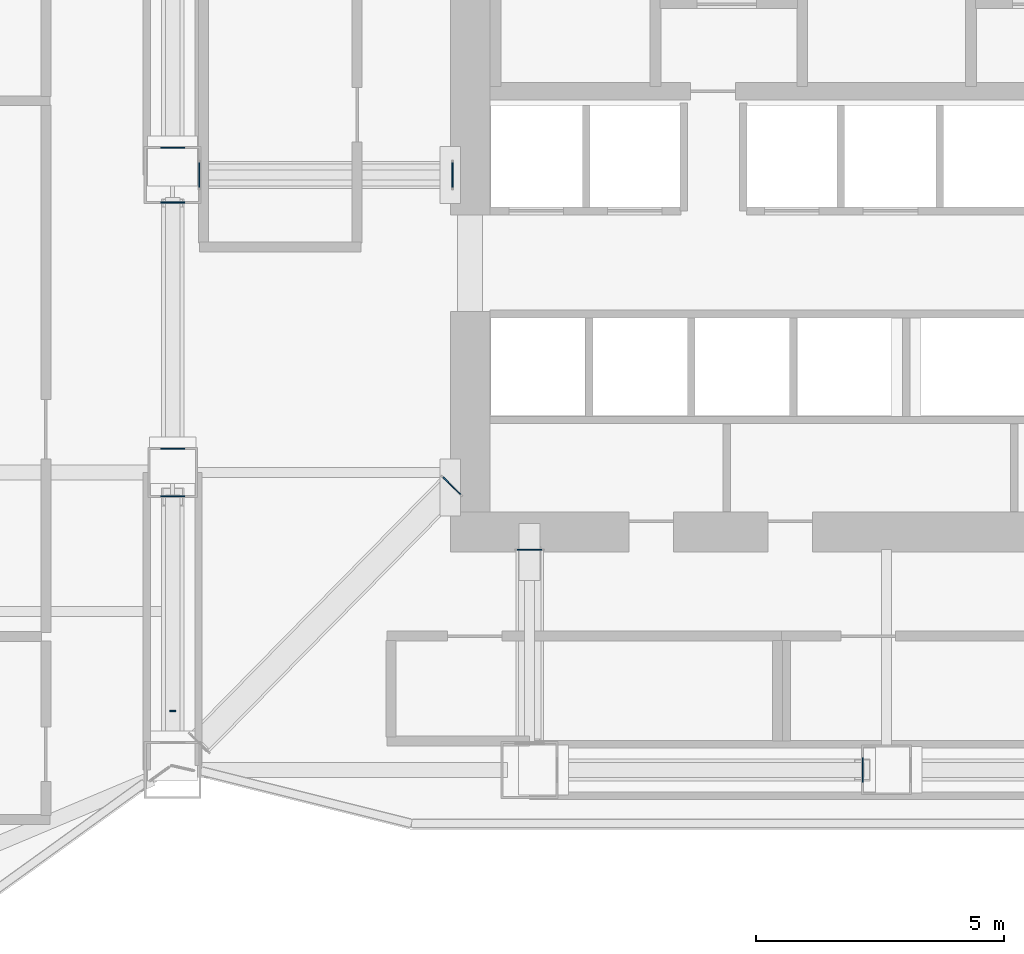
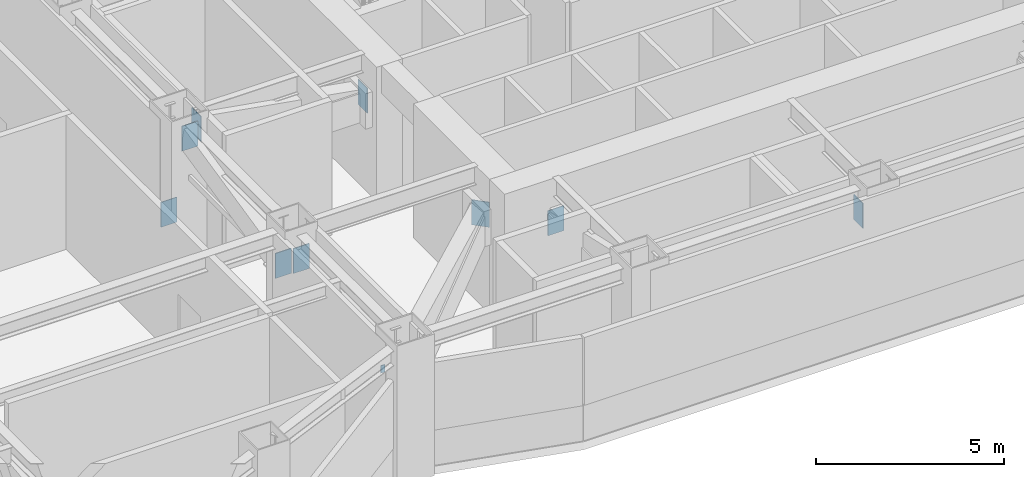
# One storey, part 8 of 23: 10 plates.
"""IFC4 building model written with IfcOpenShell, lengths in metres."""

from ifc_helpers import new_model, si_unit, direction, frame, origin, origin_2d, place, context, subcontext, project, spatial, rectangle, extrude, material, layer, layer_set, type_object, element, save


model = new_model("IFC4")

# Units and contexts
model_context = context("Model", 3, precision=1e-05, world=origin(), true_north=direction((0.0, 1.0)))
body_context = subcontext(model_context, "Body", "Model", "MODEL_VIEW")
ifc_project = project(units=[si_unit("LENGTHUNIT", "METRE"), si_unit("AREAUNIT", "SQUARE_METRE"), si_unit("VOLUMEUNIT", "CUBIC_METRE"), si_unit("PLANEANGLEUNIT", "RADIAN"), si_unit("MASSUNIT", "GRAM", prefix="KILO")], contexts=[model_context])

# Site, building, storey
site_placement = place(None, origin())
site = spatial("IfcSite", under=ifc_project, at=site_placement, CompositionType="ELEMENT")
building_placement = place(site_placement, origin())
building = spatial("IfcBuilding", under=site, at=building_placement, Name="Haolan Belvedere Tower", CompositionType="ELEMENT")
storey_placement = place(building_placement, frame((0.0, 0.0, 89.39990234375)))
storey = spatial("IfcBuildingStorey", under=building, at=storey_placement, Name="L22", CompositionType="ELEMENT", Elevation=89.39990234375)

# Plates
ifc_material = material(Name="Steel Q355B", Category="steel")
ifc_layer = layer(ifc_material, 0.02490234375, Name="Steel Q355B")
ifc_layer_set = layer_set([ifc_layer], Name="Steel Q355B")
plate_type = type_object("IfcPlateType", Name="PL-CAP-25", PredefinedType="SHEET", material=ifc_layer_set)
for number, where, z_axis, x_axis, name in (
    (1, (29.642333984375, 33.60009765625, 2.512939453125), (0.0, 0.0, 1.0), (0.0, 1.0, 0.0), "Hollow steel end-cap plate OR-W1-L22-DG-CAP0"),
    (2, (24.53271484375, 33.60009765625, 3.38720703125), (0.0, 0.0, 1.0), (0.0, -1.0, 0.0), "Hollow steel end-cap plate OR-W1-L22-DG-CAP1"),
    (3, (29.629638671875, 27.330322265625, 2.513671875), (0.0, 0.0, 1.0), (-0.713336076052, 0.700822119088, 0.0), "Hollow steel end-cap plate OR-W2-L22-DG-CAP0"),
    (4, (31.199951171875, 26.042236328125, 2.512451171875), (0.0, 0.0, 1.0), (-1.0, 0.0, 0.0), "Hollow steel end-cap plate OR-S1-L22-DG-CAP0"),
    (5, (24.0, 27.120849609375, 3.151123046875), (0.0, 0.0, 1.0), (-1.0, 0.0, 0.0), "Hollow steel end-cap plate BT-W1-L22-CAP1"),
    (6, (24.0, 28.077880859375, 2.412353515625), (0.0, 0.0, 1.0), (1.0, 0.0, 0.0), "Hollow steel end-cap plate BT-W2-L22-CAP0"),
    (7, (24.0, 33.047119140625, 3.52783203125), (0.0, 0.0, 1.0), (-1.0, 0.0, 0.0), "Hollow steel end-cap plate BT-W2-L22-CAP1"),
    (8, (24.0, 34.154052734375, 0.388916015625), (0.0, 0.0, 1.0), (1.0, 0.0, 0.0), "Hollow steel end-cap plate BT-W3-L22-CAP0"),
    (9, (37.92138671875, 21.60009765625, 3.150146484375), (0.0, 0.0, 1.0), (0.0, 1.0, 0.0), "Hollow steel end-cap plate BT-S1-L22-CAP1"),
):
    element("IfcPlate", number, at=place(storey_placement, frame(where, z_axis=z_axis, x_axis=x_axis)), inside=storey, type_object=plate_type, Name=name, PredefinedType="SHEET", context=body_context, shape_type="SweptSolid", body=[
        extrude(rectangle(XDim=0.489990234375, YDim=0.02490234375, at=origin_2d()), origin(), (0.0, 0.0, 1.0), 0.81005859375),
    ])
plate_placement = place(storey_placement, frame((24.0, 22.78759765625, 2.47998046875), z_axis=(0.0, 0.0, 1.0), x_axis=(1.0, 0.0, 0.0)))
element("IfcPlate", 10, at=plate_placement, inside=storey, type_object=plate_type, Name="Hollow steel end-cap plate GIRT-L22-GW-CAP0", PredefinedType="SHEET", context=body_context, shape_type="SweptSolid", body=[
    extrude(rectangle(XDim=0.1201171875, YDim=0.02490234375, at=origin_2d()), origin(), (0.0, 0.0, 1.0), 0.239990234375),
])

save(model, "model.ifc")
